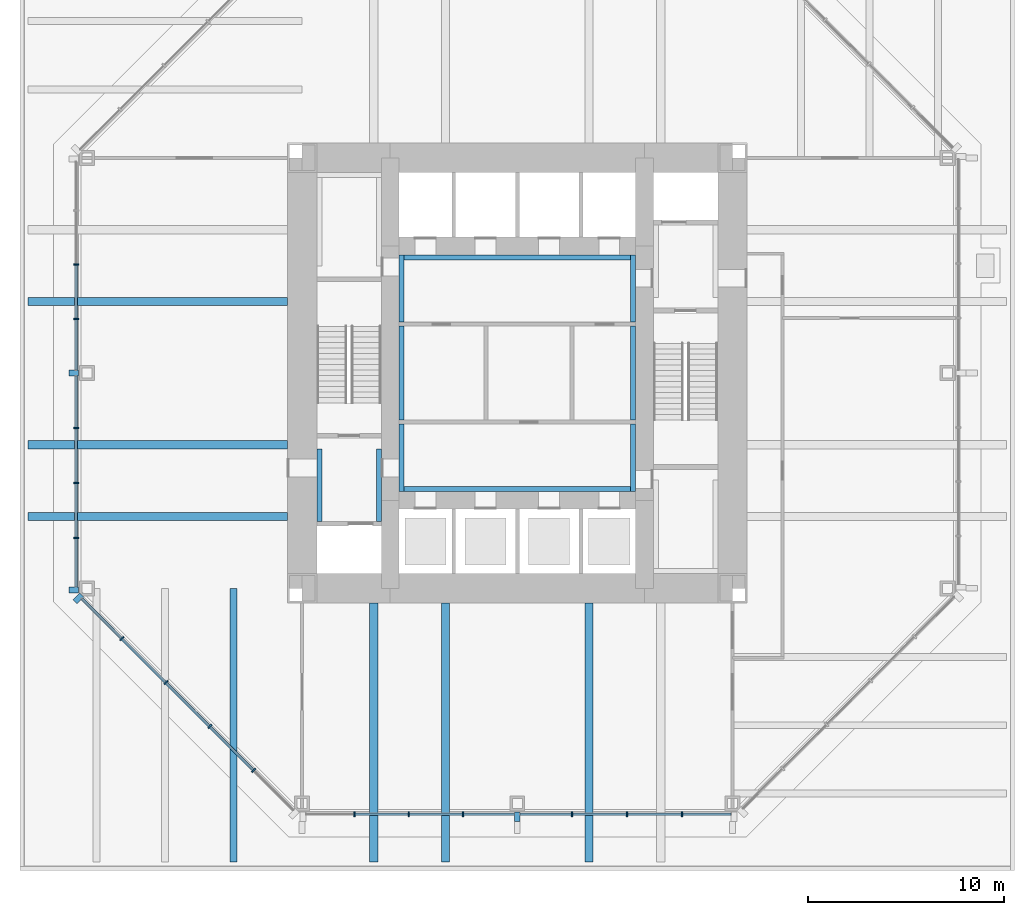
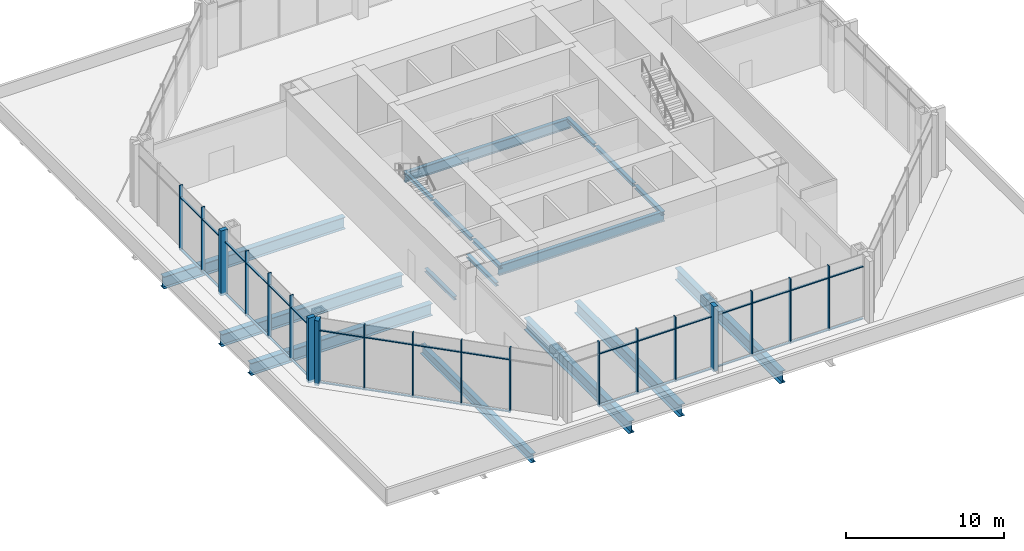
# One storey, part 2 of 11: 53 members, 17 beams, 3 elements without a shape of their own.
"""IFC4 building model written with IfcOpenShell, lengths in metres."""

from ifc_helpers import new_model, si_unit, direction, frame, origin, origin_2d, place, context, subcontext, project, spatial, rectangle, i_section, extrude, material, material_profile, profile_set, type_object, element, aggregate, save


model = new_model("IFC4")

# Units and contexts
model_context = context("Model", 3, precision=1e-05, world=origin(), true_north=direction((0.0, 1.0)))
body_context = subcontext(model_context, "Body", "Model", "MODEL_VIEW")
ifc_project = project(units=[si_unit("LENGTHUNIT", "METRE"), si_unit("AREAUNIT", "SQUARE_METRE"), si_unit("VOLUMEUNIT", "CUBIC_METRE"), si_unit("PLANEANGLEUNIT", "RADIAN"), si_unit("MASSUNIT", "GRAM", prefix="KILO")], contexts=[model_context])

# Site, building, storey
site_placement = place(None, origin())
site = spatial("IfcSite", under=ifc_project, at=site_placement, CompositionType="ELEMENT")
building_placement = place(site_placement, origin())
building = spatial("IfcBuilding", under=site, at=building_placement, Name="Trevanion Tower", CompositionType="ELEMENT")
storey_placement = place(building_placement, frame((0.0, 0.0, 95.800048828125)))
storey = spatial("IfcBuildingStorey", under=building, at=storey_placement, Name="L22", CompositionType="ELEMENT", Elevation=95.800048828125)

# Beams
ifc_material_1 = material(Name="Steel ASTM A992 Grade 50", Category="steel")
ifc_material_profile_1 = material_profile(ifc_material_1, i_section(OverallWidth=0.419189453125, OverallDepth=0.927001953125, WebThickness=0.019287109375, FlangeThickness=0.031982421875, at=origin_2d()), Name="W36X231")
ifc_profile_set_1 = profile_set([ifc_material_profile_1], Name="Steel ASTM A992 Grade 50")
beam_type_1 = type_object("IfcBeamType", Name="B5 W36X231", PredefinedType="BEAM", material=ifc_profile_set_1)
for number, where, z_axis, x_axis, name in (
    (1, (-11.75, 3.666748046875, -0.653564453125), (-1.0, 0.0, 0.0), (0.0, -1.0, 0.0), "B5 L22"),
    (2, (-11.75, -3.666748046875, -0.653564453125), (-1.0, 0.0, 0.0), (0.0, -1.0, 0.0), "B5 L22"),
    (3, (-11.75, -7.333251953125, -0.653564453125), (-1.0, 0.0, 0.0), (0.0, -1.0, 0.0), "B5 L22"),
    (4, (-7.333251953125, -11.75, -0.653564453125), (0.0, -1.0, 0.0), (1.0, 0.0, 0.0), "B5 L22"),
    (5, (-3.666748046875, -11.75, -0.653564453125), (0.0, -1.0, 0.0), (1.0, 0.0, 0.0), "B5 L22"),
    (6, (3.666748046875, -11.75, -0.653564453125), (0.0, -1.0, 0.0), (1.0, 0.0, 0.0), "B5 L22"),
):
    element("IfcBeam", number, at=place(storey_placement, frame(where, z_axis=z_axis, x_axis=x_axis)), inside=storey, type_object=beam_type_1, Name=name, PredefinedType="BEAM", context=body_context, shape_type="SweptSolid", body=[
        extrude(i_section(OverallWidth=0.419189453125, OverallDepth=0.927001953125, WebThickness=0.019287109375, FlangeThickness=0.031982421875, at=origin_2d()), origin(), (0.0, 0.0, 1.0), 13.25),
    ])
ifc_material_2 = material(Name="Steel ASTM A992 Grade 50", Category="steel")
ifc_material_profile_2 = material_profile(ifc_material_2, i_section(OverallWidth=0.355712890625, OverallDepth=0.696044921875, WebThickness=0.015380859375, FlangeThickness=0.024658203125, at=origin_2d()), Name="W27X146")
ifc_profile_set_2 = profile_set([ifc_material_profile_2], Name="Steel ASTM A992 Grade 50")
beam_type_2 = type_object("IfcBeamType", Name="B6 W27X146", PredefinedType="BEAM", material=ifc_profile_set_2)
beam_placement = place(storey_placement, frame((-14.5, -11.0, -0.5380859375), z_axis=(0.0, -1.0, 0.0), x_axis=(1.0, 0.0, 0.0)))
element("IfcBeam", 7, at=beam_placement, inside=storey, type_object=beam_type_2, Name="B6 L22", PredefinedType="BEAM", context=body_context, shape_type="SweptSolid", body=[
    extrude(i_section(OverallWidth=0.355712890625, OverallDepth=0.696044921875, WebThickness=0.015380859375, FlangeThickness=0.024658203125, at=origin_2d()), origin(), (0.0, 0.0, 1.0), 14.0),
])

# Curtain wall, members
ifc_material_3 = material(Name="Aluminium and glass", Category="aluminium")
curtain_wall_type = type_object("IfcCurtainWallType", Name="CW2 curtain wall", PredefinedType="USERDEFINED", material=ifc_material_3)
curtain_wall_1_placement = place(storey_placement, origin())
curtain_wall_1 = element("IfcCurtainWall", 8, at=curtain_wall_1_placement, inside=storey, type_object=curtain_wall_type, Name="CW2 L22 4", ObjectType="UNITISED CURTAIN WALL", PredefinedType="USERDEFINED")
ifc_material_4 = material(Name="Aluminium extrusion, anodised bronze", Category="aluminium")
ifc_material_profile_3 = material_profile(ifc_material_4, rectangle(XDim=0.074951171875, YDim=0.25, at=origin_2d()), Name="CW2 mullion")
ifc_profile_set_3 = profile_set([ifc_material_profile_3], Name="Aluminium extrusion, anodised bronze")
member_type_1 = type_object("IfcMemberType", Name="CW2 mullion", PredefinedType="MULLION", material=ifc_profile_set_3)
member_1_placement = place(storey_placement, frame((-22.550048828125, 5.548828125, -0.18994140625), z_axis=(0.0, 0.0, 1.0), x_axis=(0.0, -1.0, 0.0)))
member_1 = element("IfcMember", 9, at=member_1_placement, type_object=member_type_1, Name="CW2 mullion 3", PredefinedType="MULLION", context=body_context, shape_type="SweptSolid", body=[
    extrude(rectangle(XDim=0.074951171875, YDim=0.25, at=origin_2d()), origin(), (0.0, 0.0, 1.0), 5.0),
])
member_2_placement = place(storey_placement, frame((-22.550048828125, 2.7744140625, -0.18994140625), z_axis=(0.0, 0.0, 1.0), x_axis=(0.0, -1.0, 0.0)))
member_2 = element("IfcMember", 10, at=member_2_placement, type_object=member_type_1, Name="CW2 mullion 4", PredefinedType="MULLION", context=body_context, shape_type="SweptSolid", body=[
    extrude(rectangle(XDim=0.074951171875, YDim=0.25, at=origin_2d()), origin(), (0.0, 0.0, 1.0), 5.0),
])
member_3_placement = place(storey_placement, frame((-22.550048828125, -2.806884765625, -0.18994140625), z_axis=(0.0, 0.0, 1.0), x_axis=(0.0, -1.0, 0.0)))
member_3 = element("IfcMember", 11, at=member_3_placement, type_object=member_type_1, Name="CW2 mullion 6", PredefinedType="MULLION", context=body_context, shape_type="SweptSolid", body=[
    extrude(rectangle(XDim=0.074951171875, YDim=0.25, at=origin_2d()), origin(), (0.0, 0.0, 1.0), 5.0),
])
member_4_placement = place(storey_placement, frame((-22.550048828125, -5.614013671875, -0.18994140625), z_axis=(0.0, 0.0, 1.0), x_axis=(0.0, -1.0, 0.0)))
member_4 = element("IfcMember", 12, at=member_4_placement, type_object=member_type_1, Name="CW2 mullion 7", PredefinedType="MULLION", context=body_context, shape_type="SweptSolid", body=[
    extrude(rectangle(XDim=0.074951171875, YDim=0.25, at=origin_2d()), origin(), (0.0, 0.0, 1.0), 5.0),
])
member_5_placement = place(storey_placement, frame((-22.550048828125, -8.4208984375, -0.18994140625), z_axis=(0.0, 0.0, 1.0), x_axis=(0.0, -1.0, 0.0)))
member_5 = element("IfcMember", 13, at=member_5_placement, type_object=member_type_1, Name="CW2 mullion 8", PredefinedType="MULLION", context=body_context, shape_type="SweptSolid", body=[
    extrude(rectangle(XDim=0.074951171875, YDim=0.25, at=origin_2d()), origin(), (0.0, 0.0, 1.0), 5.0),
])

curtain_wall_2_placement = place(storey_placement, origin())
curtain_wall_2 = element("IfcCurtainWall", 14, at=curtain_wall_2_placement, inside=storey, type_object=curtain_wall_type, Name="CW2 L22 5", ObjectType="UNITISED CURTAIN WALL", PredefinedType="USERDEFINED")
member_6_placement = place(storey_placement, frame((-20.2119140625, -13.56591796875, -0.18994140625), z_axis=(0.0, 0.0, 1.0), x_axis=(0.707106781187, -0.707106781187, 0.0)))
member_6 = element("IfcMember", 15, at=member_6_placement, type_object=member_type_1, Name="CW2 mullion 2", PredefinedType="MULLION", context=body_context, shape_type="SweptSolid", body=[
    extrude(rectangle(XDim=0.074951171875, YDim=0.25, at=origin_2d()), origin(), (0.0, 0.0, 1.0), 5.0),
])
member_7_placement = place(storey_placement, frame((-17.966064453125, -15.811767578125, -0.18994140625), z_axis=(0.0, 0.0, 1.0), x_axis=(0.707106781187, -0.707106781187, 0.0)))
member_7 = element("IfcMember", 16, at=member_7_placement, type_object=member_type_1, Name="CW2 mullion 3", PredefinedType="MULLION", context=body_context, shape_type="SweptSolid", body=[
    extrude(rectangle(XDim=0.074951171875, YDim=0.25, at=origin_2d()), origin(), (0.0, 0.0, 1.0), 5.0),
])
member_8_placement = place(storey_placement, frame((-15.719970703125, -18.057861328125, -0.18994140625), z_axis=(0.0, 0.0, 1.0), x_axis=(0.707106781187, -0.707106781187, 0.0)))
member_8 = element("IfcMember", 17, at=member_8_placement, type_object=member_type_1, Name="CW2 mullion 4", PredefinedType="MULLION", context=body_context, shape_type="SweptSolid", body=[
    extrude(rectangle(XDim=0.074951171875, YDim=0.25, at=origin_2d()), origin(), (0.0, 0.0, 1.0), 5.0),
])
member_9_placement = place(storey_placement, frame((-13.473876953125, -20.303955078125, -0.18994140625), z_axis=(0.0, 0.0, 1.0), x_axis=(0.707106781187, -0.707106781187, 0.0)))
member_9 = element("IfcMember", 18, at=member_9_placement, type_object=member_type_1, Name="CW2 mullion 5", PredefinedType="MULLION", context=body_context, shape_type="SweptSolid", body=[
    extrude(rectangle(XDim=0.074951171875, YDim=0.25, at=origin_2d()), origin(), (0.0, 0.0, 1.0), 5.0),
])

curtain_wall_3_placement = place(storey_placement, origin())
curtain_wall_3 = element("IfcCurtainWall", 19, at=curtain_wall_3_placement, inside=storey, type_object=curtain_wall_type, Name="CW2 L22 6", ObjectType="UNITISED CURTAIN WALL", PredefinedType="USERDEFINED")
member_10_placement = place(storey_placement, frame((-8.323486328125, -22.550048828125, -0.18994140625), z_axis=(0.0, 0.0, 1.0), x_axis=(1.0, 0.0, 0.0)))
member_10 = element("IfcMember", 20, at=member_10_placement, type_object=member_type_1, Name="CW2 mullion 2", PredefinedType="MULLION", context=body_context, shape_type="SweptSolid", body=[
    extrude(rectangle(XDim=0.074951171875, YDim=0.25, at=origin_2d()), origin(), (0.0, 0.0, 1.0), 5.0),
])
member_11_placement = place(storey_placement, frame((-5.548828125, -22.550048828125, -0.18994140625), z_axis=(0.0, 0.0, 1.0), x_axis=(1.0, 0.0, 0.0)))
member_11 = element("IfcMember", 21, at=member_11_placement, type_object=member_type_1, Name="CW2 mullion 3", PredefinedType="MULLION", context=body_context, shape_type="SweptSolid", body=[
    extrude(rectangle(XDim=0.074951171875, YDim=0.25, at=origin_2d()), origin(), (0.0, 0.0, 1.0), 5.0),
])
member_12_placement = place(storey_placement, frame((-2.7744140625, -22.550048828125, -0.18994140625), z_axis=(0.0, 0.0, 1.0), x_axis=(1.0, 0.0, 0.0)))
member_12 = element("IfcMember", 22, at=member_12_placement, type_object=member_type_1, Name="CW2 mullion 4", PredefinedType="MULLION", context=body_context, shape_type="SweptSolid", body=[
    extrude(rectangle(XDim=0.074951171875, YDim=0.25, at=origin_2d()), origin(), (0.0, 0.0, 1.0), 5.0),
])
member_13_placement = place(storey_placement, frame((2.806884765625, -22.550048828125, -0.18994140625), z_axis=(0.0, 0.0, 1.0), x_axis=(1.0, 0.0, 0.0)))
member_13 = element("IfcMember", 23, at=member_13_placement, type_object=member_type_1, Name="CW2 mullion 6", PredefinedType="MULLION", context=body_context, shape_type="SweptSolid", body=[
    extrude(rectangle(XDim=0.074951171875, YDim=0.25, at=origin_2d()), origin(), (0.0, 0.0, 1.0), 5.0),
])
member_14_placement = place(storey_placement, frame((5.614013671875, -22.550048828125, -0.18994140625), z_axis=(0.0, 0.0, 1.0), x_axis=(1.0, 0.0, 0.0)))
member_14 = element("IfcMember", 24, at=member_14_placement, type_object=member_type_1, Name="CW2 mullion 7", PredefinedType="MULLION", context=body_context, shape_type="SweptSolid", body=[
    extrude(rectangle(XDim=0.074951171875, YDim=0.25, at=origin_2d()), origin(), (0.0, 0.0, 1.0), 5.0),
])
member_15_placement = place(storey_placement, frame((8.4208984375, -22.550048828125, -0.18994140625), z_axis=(0.0, 0.0, 1.0), x_axis=(1.0, 0.0, 0.0)))
member_15 = element("IfcMember", 25, at=member_15_placement, type_object=member_type_1, Name="CW2 mullion 8", PredefinedType="MULLION", context=body_context, shape_type="SweptSolid", body=[
    extrude(rectangle(XDim=0.074951171875, YDim=0.25, at=origin_2d()), origin(), (0.0, 0.0, 1.0), 5.0),
])

# Member
ifc_material_5 = material(Name="Aluminium extrusion, anodised bronze", Category="aluminium")
ifc_material_profile_4 = material_profile(ifc_material_5, rectangle(XDim=0.300048828125, YDim=0.5, at=origin_2d()), Name="CW2 pier mullion")
ifc_profile_set_4 = profile_set([ifc_material_profile_4], Name="Aluminium extrusion, anodised bronze")
member_type_2 = type_object("IfcMemberType", Name="CW2 pier mullion", PredefinedType="MULLION", material=ifc_profile_set_4)
member_16_placement = place(storey_placement, frame((-22.675048828125, 0.0, -0.18994140625), z_axis=(0.0, 0.0, 1.0), x_axis=(0.0, -1.0, 0.0)))
member_16 = element("IfcMember", 26, at=member_16_placement, type_object=member_type_2, Name="CW2 pier mullion 5", PredefinedType="MULLION", context=body_context, shape_type="SweptSolid", body=[
    extrude(rectangle(XDim=0.300048828125, YDim=0.5, at=origin_2d()), origin(), (0.0, 0.0, 1.0), 5.0),
])

member_17_placement = place(storey_placement, frame((-22.675048828125, -11.077880859375, -0.18994140625), z_axis=(0.0, 0.0, 1.0), x_axis=(0.0, -1.0, 0.0)))
member_17 = element("IfcMember", 27, at=member_17_placement, type_object=member_type_2, Name="CW2 pier mullion 9", PredefinedType="MULLION", context=body_context, shape_type="SweptSolid", body=[
    extrude(rectangle(XDim=0.300048828125, YDim=0.5, at=origin_2d()), origin(), (0.0, 0.0, 1.0), 5.0),
])

member_18_placement = place(storey_placement, frame((-22.4404296875, -11.51416015625, -0.18994140625), z_axis=(0.0, 0.0, 1.0), x_axis=(0.707106781187, -0.707106781187, 0.0)))
member_18 = element("IfcMember", 28, at=member_18_placement, type_object=member_type_2, Name="CW2 pier mullion 1", PredefinedType="MULLION", context=body_context, shape_type="SweptSolid", body=[
    extrude(rectangle(XDim=0.300048828125, YDim=0.5, at=origin_2d()), origin(), (0.0, 0.0, 1.0), 5.0),
])

member_19_placement = place(storey_placement, frame((0.0, -22.675048828125, -0.18994140625), z_axis=(0.0, 0.0, 1.0), x_axis=(1.0, 0.0, 0.0)))
member_19 = element("IfcMember", 29, at=member_19_placement, type_object=member_type_2, Name="CW2 pier mullion 5", PredefinedType="MULLION", context=body_context, shape_type="SweptSolid", body=[
    extrude(rectangle(XDim=0.300048828125, YDim=0.5, at=origin_2d()), origin(), (0.0, 0.0, 1.0), 5.0),
])

ifc_material_6 = material(Name="Aluminium extrusion, anodised bronze", Category="aluminium")
ifc_material_profile_5 = material_profile(ifc_material_6, rectangle(XDim=0.14990234375, YDim=0.074951171875, at=origin_2d()), Name="CW2 transom")
ifc_profile_set_5 = profile_set([ifc_material_profile_5], Name="Aluminium extrusion, anodised bronze")
member_type_3 = type_object("IfcMemberType", Name="CW2 transom", PredefinedType="USERDEFINED", material=ifc_profile_set_5)
member_20_placement = place(storey_placement, frame((-22.550048828125, 5.511474609375, -0.152587890625), z_axis=(0.0, -1.0, 0.0), x_axis=(1.0, 0.0, 0.0)))
member_20 = element("IfcMember", 30, at=member_20_placement, type_object=member_type_3, Name="CW2 transom 3.1", ObjectType="TRANSOM", PredefinedType="USERDEFINED", context=body_context, shape_type="SweptSolid", body=[
    extrude(rectangle(XDim=0.14990234375, YDim=0.074951171875, at=origin_2d()), origin(), (0.0, 0.0, 1.0), 2.699462890625),
])

member_21_placement = place(storey_placement, frame((-22.550048828125, 5.511474609375, 3.85986328125), z_axis=(0.0, -1.0, 0.0), x_axis=(1.0, 0.0, 0.0)))
member_21 = element("IfcMember", 31, at=member_21_placement, type_object=member_type_3, Name="CW2 transom 3.2", ObjectType="TRANSOM", PredefinedType="USERDEFINED", context=body_context, shape_type="SweptSolid", body=[
    extrude(rectangle(XDim=0.14990234375, YDim=0.074951171875, at=origin_2d()), origin(), (0.0, 0.0, 1.0), 2.699462890625),
])

member_22_placement = place(storey_placement, frame((-22.550048828125, 2.737060546875, -0.152587890625), z_axis=(0.0, -1.0, 0.0), x_axis=(1.0, 0.0, 0.0)))
member_22 = element("IfcMember", 32, at=member_22_placement, type_object=member_type_3, Name="CW2 transom 4.1", ObjectType="TRANSOM", PredefinedType="USERDEFINED", context=body_context, shape_type="SweptSolid", body=[
    extrude(rectangle(XDim=0.14990234375, YDim=0.074951171875, at=origin_2d()), origin(), (0.0, 0.0, 1.0), 2.587158203125),
])

member_23_placement = place(storey_placement, frame((-22.550048828125, 2.737060546875, 3.85986328125), z_axis=(0.0, -1.0, 0.0), x_axis=(1.0, 0.0, 0.0)))
member_23 = element("IfcMember", 33, at=member_23_placement, type_object=member_type_3, Name="CW2 transom 4.2", ObjectType="TRANSOM", PredefinedType="USERDEFINED", context=body_context, shape_type="SweptSolid", body=[
    extrude(rectangle(XDim=0.14990234375, YDim=0.074951171875, at=origin_2d()), origin(), (0.0, 0.0, 1.0), 2.587158203125),
])

member_24_placement = place(storey_placement, frame((-22.550048828125, -0.14990234375, -0.152587890625), z_axis=(0.0, -1.0, 0.0), x_axis=(1.0, 0.0, 0.0)))
member_24 = element("IfcMember", 34, at=member_24_placement, type_object=member_type_3, Name="CW2 transom 5.1", ObjectType="TRANSOM", PredefinedType="USERDEFINED", context=body_context, shape_type="SweptSolid", body=[
    extrude(rectangle(XDim=0.14990234375, YDim=0.074951171875, at=origin_2d()), origin(), (0.0, 0.0, 1.0), 2.619384765625),
])

member_25_placement = place(storey_placement, frame((-22.550048828125, -0.14990234375, 3.85986328125), z_axis=(0.0, -1.0, 0.0), x_axis=(1.0, 0.0, 0.0)))
member_25 = element("IfcMember", 35, at=member_25_placement, type_object=member_type_3, Name="CW2 transom 5.2", ObjectType="TRANSOM", PredefinedType="USERDEFINED", context=body_context, shape_type="SweptSolid", body=[
    extrude(rectangle(XDim=0.14990234375, YDim=0.074951171875, at=origin_2d()), origin(), (0.0, 0.0, 1.0), 2.619384765625),
])

member_26_placement = place(storey_placement, frame((-22.550048828125, -2.844482421875, -0.152587890625), z_axis=(0.0, -1.0, 0.0), x_axis=(1.0, 0.0, 0.0)))
member_26 = element("IfcMember", 36, at=member_26_placement, type_object=member_type_3, Name="CW2 transom 6.1", ObjectType="TRANSOM", PredefinedType="USERDEFINED", context=body_context, shape_type="SweptSolid", body=[
    extrude(rectangle(XDim=0.14990234375, YDim=0.074951171875, at=origin_2d()), origin(), (0.0, 0.0, 1.0), 2.73193359375),
])

member_27_placement = place(storey_placement, frame((-22.550048828125, -2.844482421875, 3.85986328125), z_axis=(0.0, -1.0, 0.0), x_axis=(1.0, 0.0, 0.0)))
member_27 = element("IfcMember", 37, at=member_27_placement, type_object=member_type_3, Name="CW2 transom 6.2", ObjectType="TRANSOM", PredefinedType="USERDEFINED", context=body_context, shape_type="SweptSolid", body=[
    extrude(rectangle(XDim=0.14990234375, YDim=0.074951171875, at=origin_2d()), origin(), (0.0, 0.0, 1.0), 2.73193359375),
])

member_28_placement = place(storey_placement, frame((-22.550048828125, -5.6513671875, -0.152587890625), z_axis=(0.0, -1.0, 0.0), x_axis=(1.0, 0.0, 0.0)))
member_28 = element("IfcMember", 38, at=member_28_placement, type_object=member_type_3, Name="CW2 transom 7.1", ObjectType="TRANSOM", PredefinedType="USERDEFINED", context=body_context, shape_type="SweptSolid", body=[
    extrude(rectangle(XDim=0.14990234375, YDim=0.074951171875, at=origin_2d()), origin(), (0.0, 0.0, 1.0), 2.73193359375),
])

member_29_placement = place(storey_placement, frame((-22.550048828125, -5.6513671875, 3.85986328125), z_axis=(0.0, -1.0, 0.0), x_axis=(1.0, 0.0, 0.0)))
member_29 = element("IfcMember", 39, at=member_29_placement, type_object=member_type_3, Name="CW2 transom 7.2", ObjectType="TRANSOM", PredefinedType="USERDEFINED", context=body_context, shape_type="SweptSolid", body=[
    extrude(rectangle(XDim=0.14990234375, YDim=0.074951171875, at=origin_2d()), origin(), (0.0, 0.0, 1.0), 2.73193359375),
])

member_30_placement = place(storey_placement, frame((-22.550048828125, -8.45849609375, -0.152587890625), z_axis=(0.0, -1.0, 0.0), x_axis=(1.0, 0.0, 0.0)))
member_30 = element("IfcMember", 40, at=member_30_placement, type_object=member_type_3, Name="CW2 transom 8.1", ObjectType="TRANSOM", PredefinedType="USERDEFINED", context=body_context, shape_type="SweptSolid", body=[
    extrude(rectangle(XDim=0.14990234375, YDim=0.074951171875, at=origin_2d()), origin(), (0.0, 0.0, 1.0), 2.46923828125),
])

member_31_placement = place(storey_placement, frame((-22.550048828125, -8.45849609375, 3.85986328125), z_axis=(0.0, -1.0, 0.0), x_axis=(1.0, 0.0, 0.0)))
member_31 = element("IfcMember", 41, at=member_31_placement, type_object=member_type_3, Name="CW2 transom 8.2", ObjectType="TRANSOM", PredefinedType="USERDEFINED", context=body_context, shape_type="SweptSolid", body=[
    extrude(rectangle(XDim=0.14990234375, YDim=0.074951171875, at=origin_2d()), origin(), (0.0, 0.0, 1.0), 2.46923828125),
])

aggregate(curtain_wall_1, [member_1, member_2, member_16, member_3, member_4, member_5, member_17, member_20, member_21, member_22, member_23, member_24, member_25, member_26, member_27, member_28, member_29, member_30, member_31])

member_32_placement = place(storey_placement, frame((-22.245849609375, -11.531982421875, -0.152587890625), z_axis=(0.707106781187, -0.707106781187, 0.0), x_axis=(0.707106781187, 0.707106781187, 0.0)))
member_32 = element("IfcMember", 42, at=member_32_placement, type_object=member_type_3, Name="CW2 transom 1.1", ObjectType="TRANSOM", PredefinedType="USERDEFINED", context=body_context, shape_type="SweptSolid", body=[
    extrude(rectangle(XDim=0.14990234375, YDim=0.074951171875, at=origin_2d()), origin(), (0.0, 0.0, 1.0), 2.8388671875),
])

member_33_placement = place(storey_placement, frame((-22.245849609375, -11.531982421875, 3.85986328125), z_axis=(0.707106781187, -0.707106781187, 0.0), x_axis=(0.707106781187, 0.707106781187, 0.0)))
member_33 = element("IfcMember", 43, at=member_33_placement, type_object=member_type_3, Name="CW2 transom 1.2", ObjectType="TRANSOM", PredefinedType="USERDEFINED", context=body_context, shape_type="SweptSolid", body=[
    extrude(rectangle(XDim=0.14990234375, YDim=0.074951171875, at=origin_2d()), origin(), (0.0, 0.0, 1.0), 2.8388671875),
])

member_34_placement = place(storey_placement, frame((-20.185546875, -13.59228515625, -0.152587890625), z_axis=(0.707106781187, -0.707106781187, 0.0), x_axis=(0.707106781187, 0.707106781187, 0.0)))
member_34 = element("IfcMember", 44, at=member_34_placement, type_object=member_type_3, Name="CW2 transom 2.1", ObjectType="TRANSOM", PredefinedType="USERDEFINED", context=body_context, shape_type="SweptSolid", body=[
    extrude(rectangle(XDim=0.14990234375, YDim=0.074951171875, at=origin_2d()), origin(), (0.0, 0.0, 1.0), 3.1015625),
])

member_35_placement = place(storey_placement, frame((-20.185546875, -13.59228515625, 3.85986328125), z_axis=(0.707106781187, -0.707106781187, 0.0), x_axis=(0.707106781187, 0.707106781187, 0.0)))
member_35 = element("IfcMember", 45, at=member_35_placement, type_object=member_type_3, Name="CW2 transom 2.2", ObjectType="TRANSOM", PredefinedType="USERDEFINED", context=body_context, shape_type="SweptSolid", body=[
    extrude(rectangle(XDim=0.14990234375, YDim=0.074951171875, at=origin_2d()), origin(), (0.0, 0.0, 1.0), 3.1015625),
])

member_36_placement = place(storey_placement, frame((-17.939453125, -15.83837890625, -0.152587890625), z_axis=(0.707106781187, -0.707106781187, 0.0), x_axis=(0.707106781187, 0.707106781187, 0.0)))
member_36 = element("IfcMember", 46, at=member_36_placement, type_object=member_type_3, Name="CW2 transom 3.1", ObjectType="TRANSOM", PredefinedType="USERDEFINED", context=body_context, shape_type="SweptSolid", body=[
    extrude(rectangle(XDim=0.14990234375, YDim=0.074951171875, at=origin_2d()), origin(), (0.0, 0.0, 1.0), 3.1015625),
])

member_37_placement = place(storey_placement, frame((-17.939453125, -15.83837890625, 3.85986328125), z_axis=(0.707106781187, -0.707106781187, 0.0), x_axis=(0.707106781187, 0.707106781187, 0.0)))
member_37 = element("IfcMember", 47, at=member_37_placement, type_object=member_type_3, Name="CW2 transom 3.2", ObjectType="TRANSOM", PredefinedType="USERDEFINED", context=body_context, shape_type="SweptSolid", body=[
    extrude(rectangle(XDim=0.14990234375, YDim=0.074951171875, at=origin_2d()), origin(), (0.0, 0.0, 1.0), 3.1015625),
])

member_38_placement = place(storey_placement, frame((-15.693359375, -18.08447265625, -0.152587890625), z_axis=(0.707106781187, -0.707106781187, 0.0), x_axis=(0.707106781187, 0.707106781187, 0.0)))
member_38 = element("IfcMember", 48, at=member_38_placement, type_object=member_type_3, Name="CW2 transom 4.1", ObjectType="TRANSOM", PredefinedType="USERDEFINED", context=body_context, shape_type="SweptSolid", body=[
    extrude(rectangle(XDim=0.14990234375, YDim=0.074951171875, at=origin_2d()), origin(), (0.0, 0.0, 1.0), 3.10107421875),
])

member_39_placement = place(storey_placement, frame((-15.693359375, -18.08447265625, 3.85986328125), z_axis=(0.707106781187, -0.707106781187, 0.0), x_axis=(0.707106781187, 0.707106781187, 0.0)))
member_39 = element("IfcMember", 49, at=member_39_placement, type_object=member_type_3, Name="CW2 transom 4.2", ObjectType="TRANSOM", PredefinedType="USERDEFINED", context=body_context, shape_type="SweptSolid", body=[
    extrude(rectangle(XDim=0.14990234375, YDim=0.074951171875, at=origin_2d()), origin(), (0.0, 0.0, 1.0), 3.10107421875),
])

aggregate(curtain_wall_2, [member_18, member_6, member_7, member_8, member_9, member_32, member_33, member_34, member_35, member_36, member_37, member_38, member_39])

member_40_placement = place(storey_placement, frame((-8.285888671875, -22.550048828125, -0.152587890625), z_axis=(1.0, 0.0, 0.0), x_axis=(0.0, 1.0, 0.0)))
member_40 = element("IfcMember", 50, at=member_40_placement, type_object=member_type_3, Name="CW2 transom 2.1", ObjectType="TRANSOM", PredefinedType="USERDEFINED", context=body_context, shape_type="SweptSolid", body=[
    extrude(rectangle(XDim=0.14990234375, YDim=0.074951171875, at=origin_2d()), origin(), (0.0, 0.0, 1.0), 2.699462890625),
])

member_41_placement = place(storey_placement, frame((-8.285888671875, -22.550048828125, 3.85986328125), z_axis=(1.0, 0.0, 0.0), x_axis=(0.0, 1.0, 0.0)))
member_41 = element("IfcMember", 51, at=member_41_placement, type_object=member_type_3, Name="CW2 transom 2.2", ObjectType="TRANSOM", PredefinedType="USERDEFINED", context=body_context, shape_type="SweptSolid", body=[
    extrude(rectangle(XDim=0.14990234375, YDim=0.074951171875, at=origin_2d()), origin(), (0.0, 0.0, 1.0), 2.699462890625),
])

member_42_placement = place(storey_placement, frame((-5.511474609375, -22.550048828125, -0.152587890625), z_axis=(1.0, 0.0, 0.0), x_axis=(0.0, 1.0, 0.0)))
member_42 = element("IfcMember", 52, at=member_42_placement, type_object=member_type_3, Name="CW2 transom 3.1", ObjectType="TRANSOM", PredefinedType="USERDEFINED", context=body_context, shape_type="SweptSolid", body=[
    extrude(rectangle(XDim=0.14990234375, YDim=0.074951171875, at=origin_2d()), origin(), (0.0, 0.0, 1.0), 2.699462890625),
])

member_43_placement = place(storey_placement, frame((-5.511474609375, -22.550048828125, 3.85986328125), z_axis=(1.0, 0.0, 0.0), x_axis=(0.0, 1.0, 0.0)))
member_43 = element("IfcMember", 53, at=member_43_placement, type_object=member_type_3, Name="CW2 transom 3.2", ObjectType="TRANSOM", PredefinedType="USERDEFINED", context=body_context, shape_type="SweptSolid", body=[
    extrude(rectangle(XDim=0.14990234375, YDim=0.074951171875, at=origin_2d()), origin(), (0.0, 0.0, 1.0), 2.699462890625),
])

member_44_placement = place(storey_placement, frame((-2.737060546875, -22.550048828125, -0.152587890625), z_axis=(1.0, 0.0, 0.0), x_axis=(0.0, 1.0, 0.0)))
member_44 = element("IfcMember", 54, at=member_44_placement, type_object=member_type_3, Name="CW2 transom 4.1", ObjectType="TRANSOM", PredefinedType="USERDEFINED", context=body_context, shape_type="SweptSolid", body=[
    extrude(rectangle(XDim=0.14990234375, YDim=0.074951171875, at=origin_2d()), origin(), (0.0, 0.0, 1.0), 2.587158203125),
])

member_45_placement = place(storey_placement, frame((-2.737060546875, -22.550048828125, 3.85986328125), z_axis=(1.0, 0.0, 0.0), x_axis=(0.0, 1.0, 0.0)))
member_45 = element("IfcMember", 55, at=member_45_placement, type_object=member_type_3, Name="CW2 transom 4.2", ObjectType="TRANSOM", PredefinedType="USERDEFINED", context=body_context, shape_type="SweptSolid", body=[
    extrude(rectangle(XDim=0.14990234375, YDim=0.074951171875, at=origin_2d()), origin(), (0.0, 0.0, 1.0), 2.587158203125),
])

member_46_placement = place(storey_placement, frame((0.14990234375, -22.550048828125, -0.152587890625), z_axis=(1.0, 0.0, 0.0), x_axis=(0.0, 1.0, 0.0)))
member_46 = element("IfcMember", 56, at=member_46_placement, type_object=member_type_3, Name="CW2 transom 5.1", ObjectType="TRANSOM", PredefinedType="USERDEFINED", context=body_context, shape_type="SweptSolid", body=[
    extrude(rectangle(XDim=0.14990234375, YDim=0.074951171875, at=origin_2d()), origin(), (0.0, 0.0, 1.0), 2.619384765625),
])

member_47_placement = place(storey_placement, frame((0.14990234375, -22.550048828125, 3.85986328125), z_axis=(1.0, 0.0, 0.0), x_axis=(0.0, 1.0, 0.0)))
member_47 = element("IfcMember", 57, at=member_47_placement, type_object=member_type_3, Name="CW2 transom 5.2", ObjectType="TRANSOM", PredefinedType="USERDEFINED", context=body_context, shape_type="SweptSolid", body=[
    extrude(rectangle(XDim=0.14990234375, YDim=0.074951171875, at=origin_2d()), origin(), (0.0, 0.0, 1.0), 2.619384765625),
])

member_48_placement = place(storey_placement, frame((2.844482421875, -22.550048828125, -0.152587890625), z_axis=(1.0, 0.0, 0.0), x_axis=(0.0, 1.0, 0.0)))
member_48 = element("IfcMember", 58, at=member_48_placement, type_object=member_type_3, Name="CW2 transom 6.1", ObjectType="TRANSOM", PredefinedType="USERDEFINED", context=body_context, shape_type="SweptSolid", body=[
    extrude(rectangle(XDim=0.14990234375, YDim=0.074951171875, at=origin_2d()), origin(), (0.0, 0.0, 1.0), 2.73193359375),
])

member_49_placement = place(storey_placement, frame((2.844482421875, -22.550048828125, 3.85986328125), z_axis=(1.0, 0.0, 0.0), x_axis=(0.0, 1.0, 0.0)))
member_49 = element("IfcMember", 59, at=member_49_placement, type_object=member_type_3, Name="CW2 transom 6.2", ObjectType="TRANSOM", PredefinedType="USERDEFINED", context=body_context, shape_type="SweptSolid", body=[
    extrude(rectangle(XDim=0.14990234375, YDim=0.074951171875, at=origin_2d()), origin(), (0.0, 0.0, 1.0), 2.73193359375),
])

member_50_placement = place(storey_placement, frame((5.6513671875, -22.550048828125, -0.152587890625), z_axis=(1.0, 0.0, 0.0), x_axis=(0.0, 1.0, 0.0)))
member_50 = element("IfcMember", 60, at=member_50_placement, type_object=member_type_3, Name="CW2 transom 7.1", ObjectType="TRANSOM", PredefinedType="USERDEFINED", context=body_context, shape_type="SweptSolid", body=[
    extrude(rectangle(XDim=0.14990234375, YDim=0.074951171875, at=origin_2d()), origin(), (0.0, 0.0, 1.0), 2.73193359375),
])

member_51_placement = place(storey_placement, frame((5.6513671875, -22.550048828125, 3.85986328125), z_axis=(1.0, 0.0, 0.0), x_axis=(0.0, 1.0, 0.0)))
member_51 = element("IfcMember", 61, at=member_51_placement, type_object=member_type_3, Name="CW2 transom 7.2", ObjectType="TRANSOM", PredefinedType="USERDEFINED", context=body_context, shape_type="SweptSolid", body=[
    extrude(rectangle(XDim=0.14990234375, YDim=0.074951171875, at=origin_2d()), origin(), (0.0, 0.0, 1.0), 2.73193359375),
])

member_52_placement = place(storey_placement, frame((8.45849609375, -22.550048828125, -0.152587890625), z_axis=(1.0, 0.0, 0.0), x_axis=(0.0, 1.0, 0.0)))
member_52 = element("IfcMember", 62, at=member_52_placement, type_object=member_type_3, Name="CW2 transom 8.1", ObjectType="TRANSOM", PredefinedType="USERDEFINED", context=body_context, shape_type="SweptSolid", body=[
    extrude(rectangle(XDim=0.14990234375, YDim=0.074951171875, at=origin_2d()), origin(), (0.0, 0.0, 1.0), 2.46923828125),
])

member_53_placement = place(storey_placement, frame((8.45849609375, -22.550048828125, 3.85986328125), z_axis=(1.0, 0.0, 0.0), x_axis=(0.0, 1.0, 0.0)))
member_53 = element("IfcMember", 63, at=member_53_placement, type_object=member_type_3, Name="CW2 transom 8.2", ObjectType="TRANSOM", PredefinedType="USERDEFINED", context=body_context, shape_type="SweptSolid", body=[
    extrude(rectangle(XDim=0.14990234375, YDim=0.074951171875, at=origin_2d()), origin(), (0.0, 0.0, 1.0), 2.46923828125),
])

aggregate(curtain_wall_3, [member_10, member_11, member_12, member_19, member_13, member_14, member_15, member_40, member_41, member_42, member_43, member_44, member_45, member_46, member_47, member_48, member_49, member_50, member_51, member_52, member_53])

# Beams
ifc_material_7 = material(Name="Steel ASTM A992 Grade 50", Category="steel")
ifc_material_profile_6 = material_profile(ifc_material_7, i_section(OverallWidth=0.256591796875, OverallDepth=0.26416015625, WebThickness=0.011962890625, FlangeThickness=0.01953125, at=origin_2d()), Name="W10X68")
ifc_profile_set_6 = profile_set([ifc_material_profile_6], Name="Steel ASTM A992 Grade 50")
beam_type_3 = type_object("IfcBeamType", Name="LB1 W10X68", PredefinedType="BEAM", material=ifc_profile_set_6)
for number, where, z_axis, x_axis, name in (
    (64, (-5.921630859375, 2.60009765625, -0.33203125), (0.0, 1.0, 0.0), (-1.0, 0.0, 0.0), "LB1 L22"),
    (65, (5.921630859375, 2.60009765625, -0.33203125), (0.0, 1.0, 0.0), (-1.0, 0.0, 0.0), "LB1 L22"),
    (66, (-5.921630859375, -6.050048828125, -0.33203125), (0.0, 1.0, 0.0), (-1.0, 0.0, 0.0), "LB1 L22"),
    (67, (5.921630859375, -6.050048828125, -0.33203125), (0.0, 1.0, 0.0), (-1.0, 0.0, 0.0), "LB1 L22"),
):
    element("IfcBeam", number, at=place(storey_placement, frame(where, z_axis=z_axis, x_axis=x_axis)), inside=storey, type_object=beam_type_3, Name=name, PredefinedType="BEAM", context=body_context, shape_type="SweptSolid", body=[
        extrude(i_section(OverallWidth=0.256591796875, OverallDepth=0.26416015625, WebThickness=0.011962890625, FlangeThickness=0.01953125, at=origin_2d()), origin(), (0.0, 0.0, 1.0), 3.449951171875),
    ])
for number, where, z_axis, x_axis, name in (
    (68, (-10.12158203125, -7.574951171875, -0.33203125), (0.0, 1.0, 0.0), (-1.0, 0.0, 0.0), "LB1 L22"),
    (69, (-7.078369140625, -7.574951171875, -0.33203125), (0.0, 1.0, 0.0), (-1.0, 0.0, 0.0), "LB1 L22"),
):
    element("IfcBeam", number, at=place(storey_placement, frame(where, z_axis=z_axis, x_axis=x_axis)), inside=storey, type_object=beam_type_3, Name=name, PredefinedType="BEAM", context=body_context, shape_type="SweptSolid", body=[
        extrude(i_section(OverallWidth=0.256591796875, OverallDepth=0.26416015625, WebThickness=0.011962890625, FlangeThickness=0.01953125, at=origin_2d()), origin(), (0.0, 0.0, 1.0), 3.699951171875),
    ])
for number, where, z_axis, x_axis, name in (
    (70, (-5.921630859375, -2.39990234375, -0.33203125), (0.0, 1.0, 0.0), (-1.0, 0.0, 0.0), "LB1 L22"),
    (71, (5.921630859375, -2.39990234375, -0.33203125), (0.0, 1.0, 0.0), (-1.0, 0.0, 0.0), "LB1 L22"),
):
    element("IfcBeam", number, at=place(storey_placement, frame(where, z_axis=z_axis, x_axis=x_axis)), inside=storey, type_object=beam_type_3, Name=name, PredefinedType="BEAM", context=body_context, shape_type="SweptSolid", body=[
        extrude(i_section(OverallWidth=0.256591796875, OverallDepth=0.26416015625, WebThickness=0.011962890625, FlangeThickness=0.01953125, at=origin_2d()), origin(), (0.0, 0.0, 1.0), 4.7998046875),
    ])
ifc_material_8 = material(Name="Steel ASTM A992 Grade 50", Category="steel")
ifc_material_profile_7 = material_profile(ifc_material_8, i_section(OverallWidth=0.2666015625, OverallDepth=0.76953125, WebThickness=0.015625, FlangeThickness=0.025390625, at=origin_2d()), Name="W30X132")
ifc_profile_set_7 = profile_set([ifc_material_profile_7], Name="Steel ASTM A992 Grade 50")
beam_type_4 = type_object("IfcBeamType", Name="LB3 W30X132", PredefinedType="BEAM", material=ifc_profile_set_7)
for number, where, z_axis, x_axis, name in (
    (72, (-6.050048828125, 5.91650390625, -0.5849609375), (1.0, 0.0, 0.0), (0.0, 1.0, 0.0), "LB3 L22"),
    (73, (-6.050048828125, -5.91650390625, -0.5849609375), (1.0, 0.0, 0.0), (0.0, 1.0, 0.0), "LB3 L22"),
):
    element("IfcBeam", number, at=place(storey_placement, frame(where, z_axis=z_axis, x_axis=x_axis)), inside=storey, type_object=beam_type_4, Name=name, PredefinedType="BEAM", context=body_context, shape_type="SweptSolid", body=[
        extrude(i_section(OverallWidth=0.2666015625, OverallDepth=0.76953125, WebThickness=0.015625, FlangeThickness=0.025390625, at=origin_2d()), origin(), (0.0, 0.0, 1.0), 12.10009765625),
    ])

save(model, "model.ifc")
